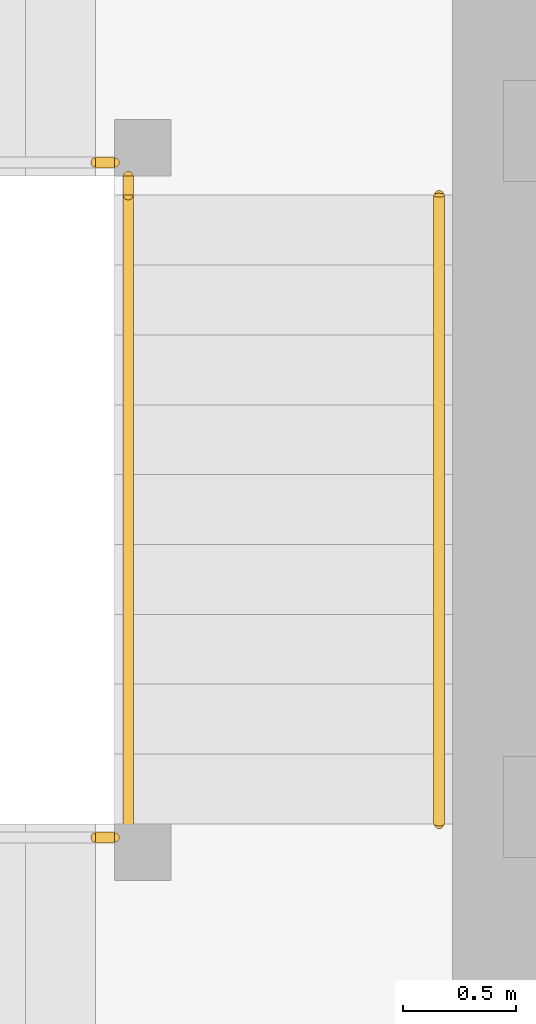
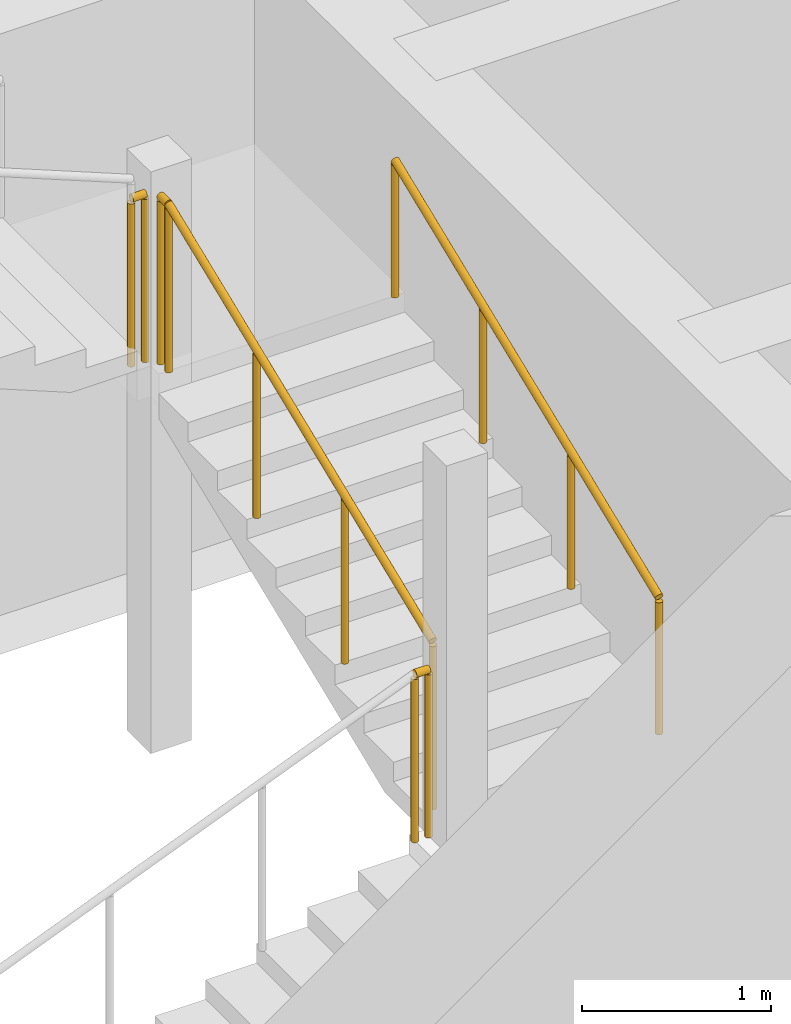
# One storey, part 34 of 39: 5 railings.
"""IFC4 building model written with IfcOpenShell, lengths in metres."""

from ifc_helpers import new_model, si_unit, direction, frame, origin, origin_2d, place, context, subcontext, project, spatial, circle, extrude, material, type_object, element, save


model = new_model("IFC4")

# Units and contexts
model_context = context("Model", 3, precision=1e-05, world=origin(), true_north=direction((0.0, 1.0)))
body_context = subcontext(model_context, "Body", "Model", "MODEL_VIEW")
ifc_project = project(units=[si_unit("LENGTHUNIT", "METRE"), si_unit("AREAUNIT", "SQUARE_METRE"), si_unit("VOLUMEUNIT", "CUBIC_METRE"), si_unit("PLANEANGLEUNIT", "RADIAN"), si_unit("MASSUNIT", "GRAM", prefix="KILO")], contexts=[model_context])

# Site, building, storey
site_placement = place(None, origin())
site = spatial("IfcSite", under=ifc_project, at=site_placement, CompositionType="ELEMENT")
building_placement = place(site_placement, origin())
building = spatial("IfcBuilding", under=site, at=building_placement, Name="Rekha Terrace Tower", CompositionType="ELEMENT")
storey_placement = place(building_placement, frame((0.0, 0.0, 225.199951171875)))
storey = spatial("IfcBuildingStorey", under=building, at=storey_placement, Name="L57", CompositionType="ELEMENT", Elevation=225.199951171875)

# Railings
ifc_material_1 = material(Name="Stainless steel balustrade", Category="steel")
railing_type_1 = type_object("IfcRailingType", Name="GR1 1100 stair guard", PredefinedType="GUARDRAIL", material=ifc_material_1)
railing_1_placement = place(storey_placement, frame((30.135009765625, 41.324951171875, 1.375)))
element("IfcRailing", 1, at=railing_1_placement, inside=storey, type_object=railing_type_1, Name="Guard ST4 L57 flight 2", PredefinedType="GUARDRAIL", context=body_context, shape_type="SweptSolid", body=[
    extrude(circle(Radius=0.02392578125, at=origin_2d()), frame((0.0, 0.0, 1.076171875), z_axis=(0.0, 0.927443287984, 0.373963831907), x_axis=(-1.0, 0.0, 0.0)), (0.0, 0.0, 1.0), 3.00830078125),
    extrude(circle(Radius=0.02099609375, at=origin_2d()), origin(), (0.0, 0.0, 1.0), 1.052001953125),
    extrude(circle(Radius=0.02099609375, at=origin_2d()), frame((0.0, 0.929931640625, 0.375)), (0.0, 0.0, 1.0), 1.052001953125),
    extrude(circle(Radius=0.02099609375, at=origin_2d()), frame((0.0, 1.860107421875, 0.75)), (0.0, 0.0, 1.0), 1.052001953125),
    extrude(circle(Radius=0.02099609375, at=origin_2d()), frame((0.0, 2.7900390625, 1.125)), (0.0, 0.0, 1.0), 1.052001953125),
])
railing_2_placement = place(storey_placement, frame((29.989990234375, 41.264892578125, 1.25)))
element("IfcRailing", 2, at=railing_2_placement, inside=storey, type_object=railing_type_1, Name="Guard ST4 L57 landing 1", PredefinedType="GUARDRAIL", context=body_context, shape_type="SweptSolid", body=[
    extrude(circle(Radius=0.02392578125, at=origin_2d()), frame((0.0, 0.0, 1.076171875), z_axis=(1.0, 0.0, 0.0), x_axis=(0.0, 1.0, 0.0)), (0.0, 0.0, 1.0), 0.0849609375),
    extrude(circle(Radius=0.02099609375, at=origin_2d()), origin(), (0.0, 0.0, 1.0), 1.052001953125),
    extrude(circle(Radius=0.02099609375, at=origin_2d()), frame((0.0849609375, 0.0, 0.0)), (0.0, 0.0, 1.0), 1.052001953125),
])
railing_3_placement = place(storey_placement, frame((30.135009765625, 44.114990234375, 2.5)))
element("IfcRailing", 3, at=railing_3_placement, inside=storey, type_object=railing_type_1, Name="Guard ST4 L57 landing 2", PredefinedType="GUARDRAIL", context=body_context, shape_type="SweptSolid", body=[
    extrude(circle(Radius=0.02392578125, at=origin_2d()), frame((0.0, 0.0, 1.076171875), z_axis=(0.0, 1.0, 0.0), x_axis=(-1.0, 0.0, 0.0)), (0.0, 0.0, 1.0), 0.0849609375),
    extrude(circle(Radius=0.02099609375, at=origin_2d()), origin(), (0.0, 0.0, 1.0), 1.052001953125),
    extrude(circle(Radius=0.02099609375, at=origin_2d()), frame((0.0, 0.0849609375, 0.0)), (0.0, 0.0, 1.0), 1.052001953125),
])
railing_4_placement = place(storey_placement, frame((29.989990234375, 44.260009765625, 2.5)))
element("IfcRailing", 4, at=railing_4_placement, inside=storey, type_object=railing_type_1, Name="Guard ST4 L57 landing 3", PredefinedType="GUARDRAIL", context=body_context, shape_type="SweptSolid", body=[
    extrude(circle(Radius=0.02392578125, at=origin_2d()), frame((0.0, 0.0, 1.076171875), z_axis=(1.0, 0.0, 0.0), x_axis=(0.0, 1.0, 0.0)), (0.0, 0.0, 1.0), 0.0849609375),
    extrude(circle(Radius=0.02099609375, at=origin_2d()), origin(), (0.0, 0.0, 1.0), 1.052001953125),
    extrude(circle(Radius=0.02099609375, at=origin_2d()), frame((0.0849609375, 0.0, 0.0)), (0.0, 0.0, 1.0), 1.052001953125),
])
ifc_material_2 = material(Name="Stainless steel tube", Category="steel")
railing_type_2 = type_object("IfcRailingType", Name="HR1 900 stair handrail", PredefinedType="HANDRAIL", material=ifc_material_2)
railing_5_placement = place(storey_placement, frame((31.514892578125, 41.324951171875, 1.375)))
element("IfcRailing", 5, at=railing_5_placement, inside=storey, type_object=railing_type_2, Name="Handrail ST4 L57 flight 2", PredefinedType="HANDRAIL", context=body_context, shape_type="SweptSolid", body=[
    extrude(circle(Radius=0.02392578125, at=origin_2d()), frame((0.0, 0.0, 0.8759765625), z_axis=(0.0, 0.927443287984, 0.373963831907), x_axis=(-1.0, 0.0, 0.0)), (0.0, 0.0, 1.0), 3.00830078125),
    extrude(circle(Radius=0.02099609375, at=origin_2d()), origin(), (0.0, 0.0, 1.0), 0.851806640625),
    extrude(circle(Radius=0.02099609375, at=origin_2d()), frame((0.0, 0.929931640625, 0.375)), (0.0, 0.0, 1.0), 0.851806640625),
    extrude(circle(Radius=0.02099609375, at=origin_2d()), frame((0.0, 1.860107421875, 0.75)), (0.0, 0.0, 1.0), 0.851806640625),
    extrude(circle(Radius=0.02099609375, at=origin_2d()), frame((0.0, 2.7900390625, 1.125)), (0.0, 0.0, 1.0), 0.851806640625),
])

save(model, "model.ifc")
